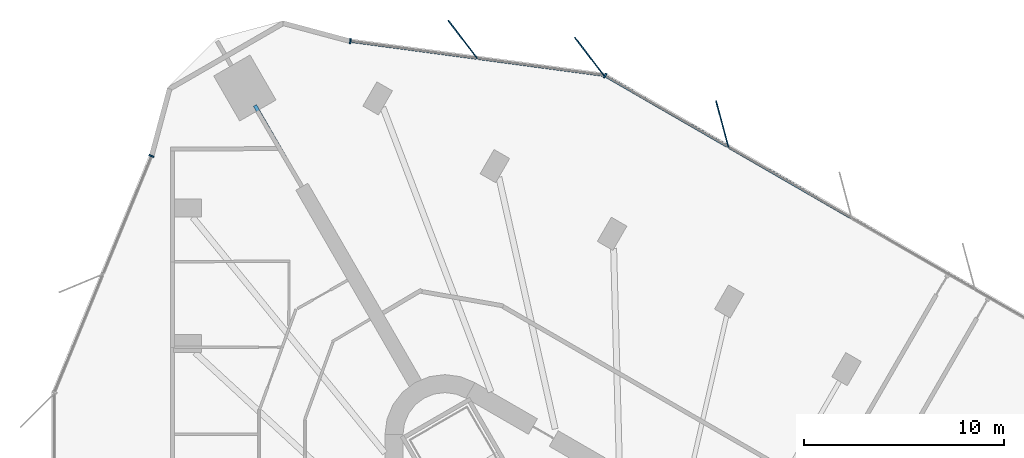
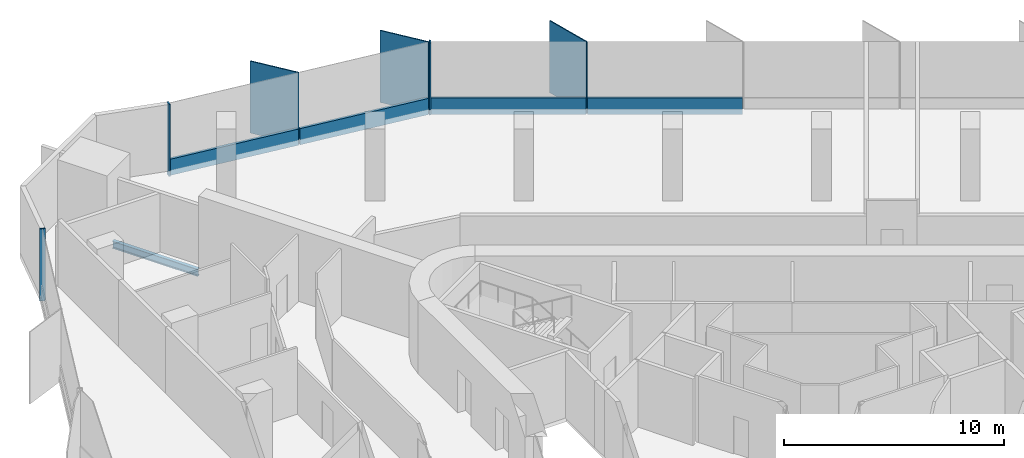
# One storey, part 6 of 14: 10 members, 1 beam, 3 elements without a shape of their own.
"""IFC4 building model written with IfcOpenShell, lengths in metres."""

from ifc_helpers import new_model, si_unit, direction, frame, origin, origin_2d, place, context, subcontext, project, spatial, rectangle, i_section, extrude, material, material_profile, profile_set, type_object, element, aggregate, save


model = new_model("IFC4")

# Units and contexts
model_context = context("Model", 3, precision=1e-05, world=origin(), true_north=direction((0.0, 1.0)))
body_context = subcontext(model_context, "Body", "Model", "MODEL_VIEW")
ifc_project = project(units=[si_unit("LENGTHUNIT", "METRE"), si_unit("AREAUNIT", "SQUARE_METRE"), si_unit("VOLUMEUNIT", "CUBIC_METRE"), si_unit("PLANEANGLEUNIT", "RADIAN"), si_unit("MASSUNIT", "GRAM", prefix="KILO")], contexts=[model_context])

# Site, building, storey
site_placement = place(None, origin())
site = spatial("IfcSite", under=ifc_project, at=site_placement, CompositionType="ELEMENT")
building_placement = place(site_placement, origin())
building = spatial("IfcBuilding", under=site, at=building_placement, Name="Tanit Gate Tower", CompositionType="ELEMENT")
storey_placement = place(building_placement, frame((0.0, 0.0, 229.199951171875)))
storey = spatial("IfcBuildingStorey", under=building, at=storey_placement, Name="L51", CompositionType="ELEMENT", Elevation=229.199951171875)

# Curtain wall, member
ifc_material_1 = material(Name="Aluminium bronze anodised and glass", Category="aluminium")
curtain_wall_type = type_object("IfcCurtainWallType", Name="Curtain wall typical mid", PredefinedType="NOTDEFINED", material=ifc_material_1)
curtain_wall_1_placement = place(storey_placement, origin())
curtain_wall_1 = element("IfcCurtainWall", 1, at=curtain_wall_1_placement, inside=storey, type_object=curtain_wall_type, Name="Curtain wall L51 NE2", PredefinedType="NOTDEFINED")
ifc_material_2 = material(Name="Aluminium bronze anodised", Category="aluminium")
ifc_material_profile_1 = material_profile(ifc_material_2, rectangle(XDim=2.39990234375, YDim=0.055908203125, at=origin_2d()), Name="56x2400 bronze fin mullion")
ifc_profile_set_1 = profile_set([ifc_material_profile_1], Name="Aluminium bronze anodised")
member_type_1 = type_object("IfcMemberType", Name="FIN MULLION 56x2400 bronze", PredefinedType="MULLION", material=ifc_profile_set_1)
member_1_placement = place(storey_placement, frame((4.772216796875, 31.29443359375, -0.300048828125), z_axis=(0.0, 0.0, 1.0), x_axis=(0.258886020591, -0.965907877772, 0.0)))
member_1 = element("IfcMember", 2, at=member_1_placement, type_object=member_type_1, Name="Fin mullion L51 NE2.5", PredefinedType="MULLION", context=body_context, shape_type="SweptSolid", body=[
    extrude(rectangle(XDim=2.39990234375, YDim=0.055908203125, at=origin_2d()), origin(), (0.0, 0.0, 1.0), 4.0),
])

# Curtain wall, members
curtain_wall_2_placement = place(storey_placement, origin())
curtain_wall_2 = element("IfcCurtainWall", 3, at=curtain_wall_2_placement, inside=storey, type_object=curtain_wall_type, Name="Curtain wall L51 NE3", PredefinedType="NOTDEFINED")
member_2_placement = place(storey_placement, frame((-1.878662109375, 34.677978515625, -0.300048828125), z_axis=(0.0, 0.0, 1.0), x_axis=(0.606564027871, -0.795034640813, 0.0)))
member_2 = element("IfcMember", 4, at=member_2_placement, type_object=member_type_1, Name="Fin mullion L51 NE3.1", PredefinedType="MULLION", context=body_context, shape_type="SweptSolid", body=[
    extrude(rectangle(XDim=2.39990234375, YDim=0.055908203125, at=origin_2d()), origin(), (0.0, 0.0, 1.0), 4.0),
])
member_3_placement = place(storey_placement, frame((-8.2119140625, 35.52978515625, -0.300048828125), z_axis=(0.0, 0.0, 1.0), x_axis=(0.606564027871, -0.795034640813, 0.0)))
member_3 = element("IfcMember", 5, at=member_3_placement, type_object=member_type_1, Name="Fin mullion L51 NE3.2", PredefinedType="MULLION", context=body_context, shape_type="SweptSolid", body=[
    extrude(rectangle(XDim=2.39990234375, YDim=0.055908203125, at=origin_2d()), origin(), (0.0, 0.0, 1.0), 4.0),
])

# Member
ifc_material_3 = material(Name="Aluminium bronze anodised", Category="aluminium")
ifc_material_profile_2 = material_profile(ifc_material_3, rectangle(XDim=0.260009765625, YDim=0.080078125, at=origin_2d()), Name="80x260 bronze mullion")
ifc_profile_set_2 = profile_set([ifc_material_profile_2], Name="Aluminium bronze anodised")
member_type_2 = type_object("IfcMemberType", Name="Mullion 80x260 typical mid", PredefinedType="MULLION", material=ifc_profile_set_2)
member_4_placement = place(storey_placement, frame((-1.08935546875, 33.715576171875, -0.300048828125), z_axis=(0.0, 0.0, 1.0), x_axis=(-0.49993994966, -0.866060071089, 0.0)))
member_4 = element("IfcMember", 6, at=member_4_placement, type_object=member_type_2, Name="Mullion L51 NE2.6", PredefinedType="MULLION", context=body_context, shape_type="SweptSolid", body=[
    extrude(rectangle(XDim=0.260009765625, YDim=0.080078125, at=origin_2d()), origin(), (0.0, 0.0, 1.0), 4.0),
])

member_5_placement = place(storey_placement, frame((-13.830078125, 35.444091796875, -0.300048828125), z_axis=(0.0, 0.0, 1.0), x_axis=(-0.133268848466, -0.991079923129, 0.0)))
member_5 = element("IfcMember", 7, at=member_5_placement, type_object=member_type_2, Name="Mullion L51 NE3.3", PredefinedType="MULLION", context=body_context, shape_type="SweptSolid", body=[
    extrude(rectangle(XDim=0.260009765625, YDim=0.080078125, at=origin_2d()), origin(), (0.0, 0.0, 1.0), 4.0),
])

# Curtain wall, member
curtain_wall_3_placement = place(storey_placement, origin())
curtain_wall_3 = element("IfcCurtainWall", 8, at=curtain_wall_3_placement, inside=storey, type_object=curtain_wall_type, Name="Curtain wall L51 W1", PredefinedType="NOTDEFINED")
member_6_placement = place(storey_placement, frame((-23.780517578125, 29.69921875, -0.300048828125), z_axis=(0.0, 0.0, 1.0), x_axis=(0.924867158401, -0.380290335549, 0.0)))
member_6 = element("IfcMember", 9, at=member_6_placement, type_object=member_type_2, Name="Mullion L51 W1.1", PredefinedType="MULLION", context=body_context, shape_type="SweptSolid", body=[
    extrude(rectangle(XDim=0.260009765625, YDim=0.080078125, at=origin_2d()), origin(), (0.0, 0.0, 1.0), 4.0),
])
aggregate(curtain_wall_3, [member_6])

# Beam
ifc_material_4 = material(Name="Steel S355", Category="steel")
ifc_material_profile_3 = material_profile(ifc_material_4, i_section(OverallWidth=0.179931640625, OverallDepth=0.39990234375, WebThickness=0.008544921875, FlangeThickness=0.013427734375, FilletRadius=0.02099609375, at=origin_2d()), Name="IPE 400")
ifc_profile_set_3 = profile_set([ifc_material_profile_3], Name="Steel S355")
beam_type = type_object("IfcBeamType", Name="RADIAL GIRDER IPE 400 S355", PredefinedType="BEAM", material=ifc_profile_set_3)
beam_placement = place(storey_placement, frame((-18.607666015625, 32.2294921875, -0.5), z_axis=(0.500003645003, -0.866023299331, 0.0), x_axis=(0.866023299331, 0.500003645003, 0.0)))
element("IfcBeam", 10, at=beam_placement, inside=storey, type_object=beam_type, Name="RADIAL GIRDER", PredefinedType="BEAM", context=body_context, shape_type="SweptSolid", body=[
    extrude(i_section(OverallWidth=0.179931640625, OverallDepth=0.39990234375, WebThickness=0.008544921875, FlangeThickness=0.013427734375, FilletRadius=0.02099609375, at=origin_2d()), origin(), (0.0, 0.0, 1.0), 4.484375),
])

# Member
ifc_material_5 = material(Name="Aluminium bronze anodised", Category="aluminium")
ifc_material_profile_4 = material_profile(ifc_material_5, rectangle(XDim=0.139892578125, YDim=0.89990234375, at=origin_2d()), Name="140x900 bronze transom")
ifc_profile_set_4 = profile_set([ifc_material_profile_4], Name="Aluminium bronze anodised")
member_type_3 = type_object("IfcMemberType", Name="Transom 140x900 typical mid", PredefinedType="USERDEFINED", material=ifc_profile_set_4)
member_7_placement = place(storey_placement, frame((11.20947265625, 26.615966796875, 0.150146484375), z_axis=(-0.866060282556, 0.499939583328, 0.0), x_axis=(-0.499939583328, -0.866060282556, 0.0)))
member_7 = element("IfcMember", 11, at=member_7_placement, type_object=member_type_3, Name="Transom L51 NE2.4", ObjectType="TRANSOM", PredefinedType="USERDEFINED", context=body_context, shape_type="SweptSolid", body=[
    extrude(rectangle(XDim=0.139892578125, YDim=0.89990234375, at=origin_2d()), origin(), (0.0, 0.0, 1.0), 7.040283203125),
])

member_8_placement = place(storey_placement, frame((5.042724609375, 30.17578125, 0.150146484375), z_axis=(-0.866060282556, 0.499939583328, 0.0), x_axis=(-0.499939583328, -0.866060282556, 0.0)))
member_8 = element("IfcMember", 12, at=member_8_placement, type_object=member_type_3, Name="Transom L51 NE2.5", ObjectType="TRANSOM", PredefinedType="USERDEFINED", context=body_context, shape_type="SweptSolid", body=[
    extrude(rectangle(XDim=0.139892578125, YDim=0.89990234375, at=origin_2d()), origin(), (0.0, 0.0, 1.0), 7.040283203125),
])

aggregate(curtain_wall_1, [member_1, member_4, member_7, member_8])

member_9_placement = place(storey_placement, frame((-1.203125, 33.74609375, 0.150146484375), z_axis=(-0.991077574285, 0.133286314936, 0.0), x_axis=(-0.133286314936, -0.991077574285, 0.0)))
member_9 = element("IfcMember", 13, at=member_9_placement, type_object=member_type_3, Name="Transom L51 NE3.1", ObjectType="TRANSOM", PredefinedType="USERDEFINED", context=body_context, shape_type="SweptSolid", body=[
    extrude(rectangle(XDim=0.139892578125, YDim=0.89990234375, at=origin_2d()), origin(), (0.0, 0.0, 1.0), 6.310302734375),
])

member_10_placement = place(storey_placement, frame((-7.536376953125, 34.597900390625, 0.150146484375), z_axis=(-0.991083371296, 0.13324320298, 0.0), x_axis=(-0.13324320298, -0.991083371296, 0.0)))
member_10 = element("IfcMember", 14, at=member_10_placement, type_object=member_type_3, Name="Transom L51 NE3.2", ObjectType="TRANSOM", PredefinedType="USERDEFINED", context=body_context, shape_type="SweptSolid", body=[
    extrude(rectangle(XDim=0.139892578125, YDim=0.89990234375, at=origin_2d()), origin(), (0.0, 0.0, 1.0), 6.310302734375),
])

aggregate(curtain_wall_2, [member_2, member_3, member_5, member_9, member_10])

save(model, "model.ifc")
